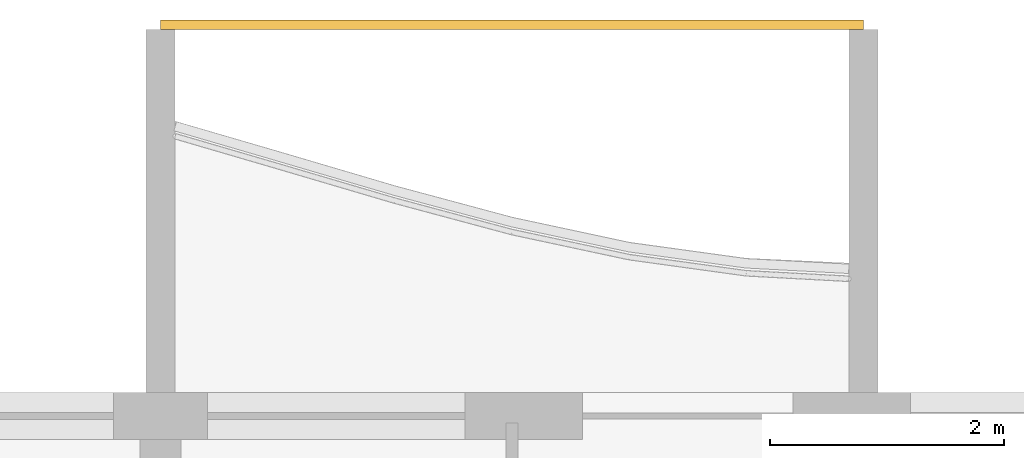
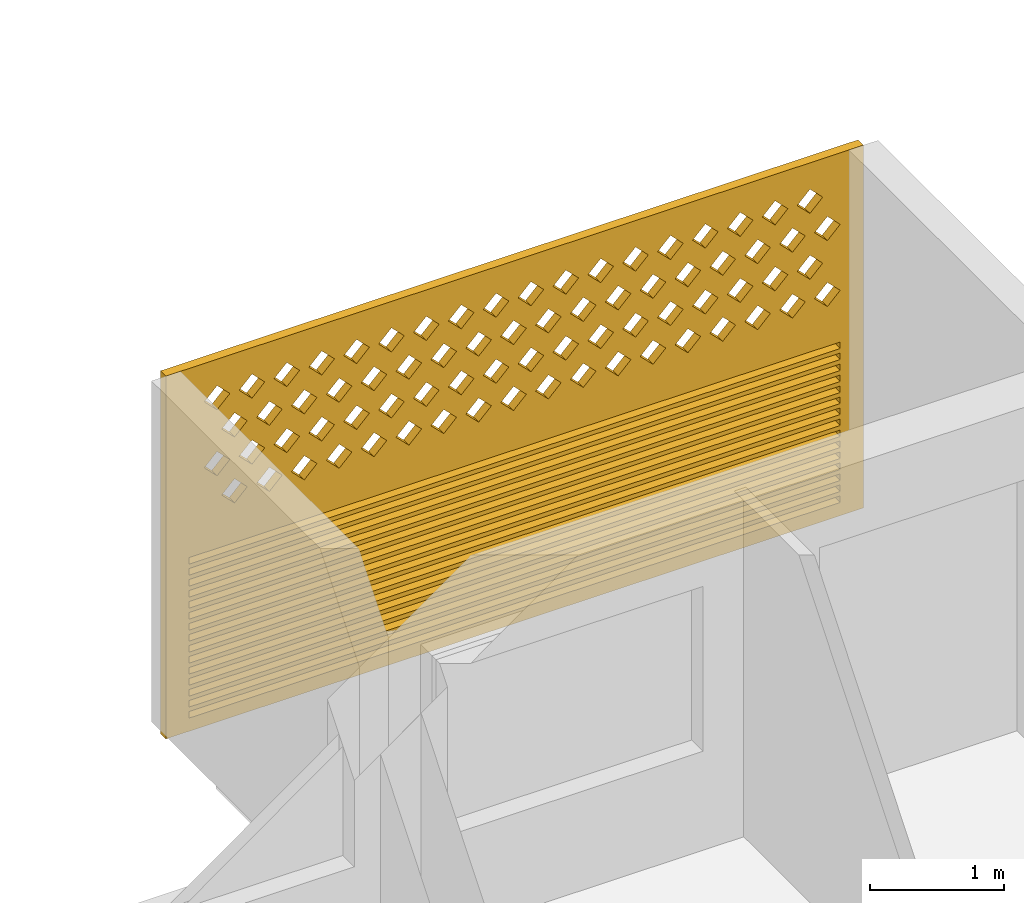
# One storey, part 29 of 31: 1 covering.
"""IFC4 building model written with IfcOpenShell, lengths in metres."""

from ifc_helpers import new_model, si_unit, direction, frame, origin, place, context, subcontext, project, spatial, polyline, outline, extrude, source, transform, mapped, material, material_profile, profile_set, type_object, element, save


model = new_model("IFC4")

# Units and contexts
model_context = context("Model", 3, precision=1e-05, world=origin(), true_north=direction((0.0, 1.0)))
body_context = subcontext(model_context, "Body", "Model", "MODEL_VIEW")
ifc_project = project(units=[si_unit("LENGTHUNIT", "METRE"), si_unit("AREAUNIT", "SQUARE_METRE"), si_unit("VOLUMEUNIT", "CUBIC_METRE"), si_unit("PLANEANGLEUNIT", "RADIAN"), si_unit("MASSUNIT", "GRAM", prefix="KILO")], contexts=[model_context])

# Site, building, storey
site_placement = place(None, origin())
site = spatial("IfcSite", under=ifc_project, at=site_placement, CompositionType="ELEMENT")
building_placement = place(site_placement, origin())
building = spatial("IfcBuilding", under=site, at=building_placement, Name="Poui Terraces", CompositionType="ELEMENT")
storey_placement = place(building_placement, frame((0.0, 0.0, 82.800048828125)))
storey = spatial("IfcBuildingStorey", under=building, at=storey_placement, Name="L22", CompositionType="ELEMENT", Elevation=82.800048828125)

# Covering
ifc_material = material(Name="Terracotta screen", Category="masonry")
ifc_material_profile = material_profile(ifc_material, outline(polyline([(-3.0, -1.64990234375), (3.0, -1.64990234375), (3.0, 1.64990234375), (-3.0, 1.64990234375), (-3.0, -1.64990234375)]), holes=[polyline([(-2.800048828125, 0.39990234375), (-2.68994140625, 0.2900390625), (-2.580078125, 0.39990234375), (-2.68994140625, 0.510009765625), (-2.800048828125, 0.39990234375)]), polyline([(-2.5, 0.39990234375), (-2.389892578125, 0.2900390625), (-2.280029296875, 0.39990234375), (-2.389892578125, 0.510009765625), (-2.5, 0.39990234375)]), polyline([(-2.199951171875, 0.39990234375), (-2.090087890625, 0.2900390625), (-1.97998046875, 0.39990234375), (-2.090087890625, 0.510009765625), (-2.199951171875, 0.39990234375)]), polyline([(-1.89990234375, 0.39990234375), (-1.7900390625, 0.2900390625), (-1.679931640625, 0.39990234375), (-1.7900390625, 0.510009765625), (-1.89990234375, 0.39990234375)]), polyline([(-1.60009765625, 0.39990234375), (-1.489990234375, 0.2900390625), (-1.3798828125, 0.39990234375), (-1.489990234375, 0.510009765625), (-1.60009765625, 0.39990234375)]), polyline([(-1.300048828125, 0.39990234375), (-1.18994140625, 0.2900390625), (-1.080078125, 0.39990234375), (-1.18994140625, 0.510009765625), (-1.300048828125, 0.39990234375)]), polyline([(-1.0, 0.39990234375), (-0.889892578125, 0.2900390625), (-0.780029296875, 0.39990234375), (-0.889892578125, 0.510009765625), (-1.0, 0.39990234375)]), polyline([(-0.699951171875, 0.39990234375), (-0.590087890625, 0.2900390625), (-0.47998046875, 0.39990234375), (-0.590087890625, 0.510009765625), (-0.699951171875, 0.39990234375)]), polyline([(-0.39990234375, 0.39990234375), (-0.2900390625, 0.2900390625), (-0.179931640625, 0.39990234375), (-0.2900390625, 0.510009765625), (-0.39990234375, 0.39990234375)]), polyline([(-0.10009765625, 0.39990234375), (0.010009765625, 0.2900390625), (0.1201171875, 0.39990234375), (0.010009765625, 0.510009765625), (-0.10009765625, 0.39990234375)]), polyline([(0.199951171875, 0.39990234375), (0.31005859375, 0.2900390625), (0.419921875, 0.39990234375), (0.31005859375, 0.510009765625), (0.199951171875, 0.39990234375)]), polyline([(0.5, 0.39990234375), (0.610107421875, 0.2900390625), (0.719970703125, 0.39990234375), (0.610107421875, 0.510009765625), (0.5, 0.39990234375)]), polyline([(0.800048828125, 0.39990234375), (0.909912109375, 0.2900390625), (1.02001953125, 0.39990234375), (0.909912109375, 0.510009765625), (0.800048828125, 0.39990234375)]), polyline([(1.10009765625, 0.39990234375), (1.2099609375, 0.2900390625), (1.320068359375, 0.39990234375), (1.2099609375, 0.510009765625), (1.10009765625, 0.39990234375)]), polyline([(1.39990234375, 0.39990234375), (1.510009765625, 0.2900390625), (1.6201171875, 0.39990234375), (1.510009765625, 0.510009765625), (1.39990234375, 0.39990234375)]), polyline([(1.699951171875, 0.39990234375), (1.81005859375, 0.2900390625), (1.919921875, 0.39990234375), (1.81005859375, 0.510009765625), (1.699951171875, 0.39990234375)]), polyline([(2.0, 0.39990234375), (2.110107421875, 0.2900390625), (2.219970703125, 0.39990234375), (2.110107421875, 0.510009765625), (2.0, 0.39990234375)]), polyline([(2.300048828125, 0.39990234375), (2.409912109375, 0.2900390625), (2.52001953125, 0.39990234375), (2.409912109375, 0.510009765625), (2.300048828125, 0.39990234375)]), polyline([(-2.64990234375, 0.699951171875), (-2.5400390625, 0.590087890625), (-2.429931640625, 0.699951171875), (-2.5400390625, 0.81005859375), (-2.64990234375, 0.699951171875)]), polyline([(-2.35009765625, 0.699951171875), (-2.239990234375, 0.590087890625), (-2.1298828125, 0.699951171875), (-2.239990234375, 0.81005859375), (-2.35009765625, 0.699951171875)]), polyline([(-2.050048828125, 0.699951171875), (-1.93994140625, 0.590087890625), (-1.830078125, 0.699951171875), (-1.93994140625, 0.81005859375), (-2.050048828125, 0.699951171875)]), polyline([(-1.75, 0.699951171875), (-1.639892578125, 0.590087890625), (-1.530029296875, 0.699951171875), (-1.639892578125, 0.81005859375), (-1.75, 0.699951171875)]), polyline([(-1.449951171875, 0.699951171875), (-1.340087890625, 0.590087890625), (-1.22998046875, 0.699951171875), (-1.340087890625, 0.81005859375), (-1.449951171875, 0.699951171875)]), polyline([(-1.14990234375, 0.699951171875), (-1.0400390625, 0.590087890625), (-0.929931640625, 0.699951171875), (-1.0400390625, 0.81005859375), (-1.14990234375, 0.699951171875)]), polyline([(-0.85009765625, 0.699951171875), (-0.739990234375, 0.590087890625), (-0.6298828125, 0.699951171875), (-0.739990234375, 0.81005859375), (-0.85009765625, 0.699951171875)]), polyline([(-0.550048828125, 0.699951171875), (-0.43994140625, 0.590087890625), (-0.330078125, 0.699951171875), (-0.43994140625, 0.81005859375), (-0.550048828125, 0.699951171875)]), polyline([(-0.25, 0.699951171875), (-0.139892578125, 0.590087890625), (-0.030029296875, 0.699951171875), (-0.139892578125, 0.81005859375), (-0.25, 0.699951171875)]), polyline([(0.050048828125, 0.699951171875), (0.159912109375, 0.590087890625), (0.27001953125, 0.699951171875), (0.159912109375, 0.81005859375), (0.050048828125, 0.699951171875)]), polyline([(0.35009765625, 0.699951171875), (0.4599609375, 0.590087890625), (0.570068359375, 0.699951171875), (0.4599609375, 0.81005859375), (0.35009765625, 0.699951171875)]), polyline([(0.64990234375, 0.699951171875), (0.760009765625, 0.590087890625), (0.8701171875, 0.699951171875), (0.760009765625, 0.81005859375), (0.64990234375, 0.699951171875)]), polyline([(0.949951171875, 0.699951171875), (1.06005859375, 0.590087890625), (1.169921875, 0.699951171875), (1.06005859375, 0.81005859375), (0.949951171875, 0.699951171875)]), polyline([(1.25, 0.699951171875), (1.360107421875, 0.590087890625), (1.469970703125, 0.699951171875), (1.360107421875, 0.81005859375), (1.25, 0.699951171875)]), polyline([(1.550048828125, 0.699951171875), (1.659912109375, 0.590087890625), (1.77001953125, 0.699951171875), (1.659912109375, 0.81005859375), (1.550048828125, 0.699951171875)]), polyline([(1.85009765625, 0.699951171875), (1.9599609375, 0.590087890625), (2.070068359375, 0.699951171875), (1.9599609375, 0.81005859375), (1.85009765625, 0.699951171875)]), polyline([(2.14990234375, 0.699951171875), (2.260009765625, 0.590087890625), (2.3701171875, 0.699951171875), (2.260009765625, 0.81005859375), (2.14990234375, 0.699951171875)]), polyline([(2.449951171875, 0.699951171875), (2.56005859375, 0.590087890625), (2.669921875, 0.699951171875), (2.56005859375, 0.81005859375), (2.449951171875, 0.699951171875)]), polyline([(-2.800048828125, 1.0), (-2.68994140625, 0.889892578125), (-2.580078125, 1.0), (-2.68994140625, 1.110107421875), (-2.800048828125, 1.0)]), polyline([(-2.5, 1.0), (-2.389892578125, 0.889892578125), (-2.280029296875, 1.0), (-2.389892578125, 1.110107421875), (-2.5, 1.0)]), polyline([(-2.199951171875, 1.0), (-2.090087890625, 0.889892578125), (-1.97998046875, 1.0), (-2.090087890625, 1.110107421875), (-2.199951171875, 1.0)]), polyline([(-1.89990234375, 1.0), (-1.7900390625, 0.889892578125), (-1.679931640625, 1.0), (-1.7900390625, 1.110107421875), (-1.89990234375, 1.0)]), polyline([(-1.60009765625, 1.0), (-1.489990234375, 0.889892578125), (-1.3798828125, 1.0), (-1.489990234375, 1.110107421875), (-1.60009765625, 1.0)]), polyline([(-1.300048828125, 1.0), (-1.18994140625, 0.889892578125), (-1.080078125, 1.0), (-1.18994140625, 1.110107421875), (-1.300048828125, 1.0)]), polyline([(-1.0, 1.0), (-0.889892578125, 0.889892578125), (-0.780029296875, 1.0), (-0.889892578125, 1.110107421875), (-1.0, 1.0)]), polyline([(-0.699951171875, 1.0), (-0.590087890625, 0.889892578125), (-0.47998046875, 1.0), (-0.590087890625, 1.110107421875), (-0.699951171875, 1.0)]), polyline([(-0.39990234375, 1.0), (-0.2900390625, 0.889892578125), (-0.179931640625, 1.0), (-0.2900390625, 1.110107421875), (-0.39990234375, 1.0)]), polyline([(-0.10009765625, 1.0), (0.010009765625, 0.889892578125), (0.1201171875, 1.0), (0.010009765625, 1.110107421875), (-0.10009765625, 1.0)]), polyline([(0.199951171875, 1.0), (0.31005859375, 0.889892578125), (0.419921875, 1.0), (0.31005859375, 1.110107421875), (0.199951171875, 1.0)]), polyline([(0.5, 1.0), (0.610107421875, 0.889892578125), (0.719970703125, 1.0), (0.610107421875, 1.110107421875), (0.5, 1.0)]), polyline([(0.800048828125, 1.0), (0.909912109375, 0.889892578125), (1.02001953125, 1.0), (0.909912109375, 1.110107421875), (0.800048828125, 1.0)]), polyline([(1.10009765625, 1.0), (1.2099609375, 0.889892578125), (1.320068359375, 1.0), (1.2099609375, 1.110107421875), (1.10009765625, 1.0)]), polyline([(1.39990234375, 1.0), (1.510009765625, 0.889892578125), (1.6201171875, 1.0), (1.510009765625, 1.110107421875), (1.39990234375, 1.0)]), polyline([(1.699951171875, 1.0), (1.81005859375, 0.889892578125), (1.919921875, 1.0), (1.81005859375, 1.110107421875), (1.699951171875, 1.0)]), polyline([(2.0, 1.0), (2.110107421875, 0.889892578125), (2.219970703125, 1.0), (2.110107421875, 1.110107421875), (2.0, 1.0)]), polyline([(2.300048828125, 1.0), (2.409912109375, 0.889892578125), (2.52001953125, 1.0), (2.409912109375, 1.110107421875), (2.300048828125, 1.0)]), polyline([(-2.64990234375, 1.300048828125), (-2.5400390625, 1.18994140625), (-2.429931640625, 1.300048828125), (-2.5400390625, 1.409912109375), (-2.64990234375, 1.300048828125)]), polyline([(-2.35009765625, 1.300048828125), (-2.239990234375, 1.18994140625), (-2.1298828125, 1.300048828125), (-2.239990234375, 1.409912109375), (-2.35009765625, 1.300048828125)]), polyline([(-2.050048828125, 1.300048828125), (-1.93994140625, 1.18994140625), (-1.830078125, 1.300048828125), (-1.93994140625, 1.409912109375), (-2.050048828125, 1.300048828125)]), polyline([(-1.75, 1.300048828125), (-1.639892578125, 1.18994140625), (-1.530029296875, 1.300048828125), (-1.639892578125, 1.409912109375), (-1.75, 1.300048828125)]), polyline([(-1.449951171875, 1.300048828125), (-1.340087890625, 1.18994140625), (-1.22998046875, 1.300048828125), (-1.340087890625, 1.409912109375), (-1.449951171875, 1.300048828125)]), polyline([(-1.14990234375, 1.300048828125), (-1.0400390625, 1.18994140625), (-0.929931640625, 1.300048828125), (-1.0400390625, 1.409912109375), (-1.14990234375, 1.300048828125)]), polyline([(-0.85009765625, 1.300048828125), (-0.739990234375, 1.18994140625), (-0.6298828125, 1.300048828125), (-0.739990234375, 1.409912109375), (-0.85009765625, 1.300048828125)]), polyline([(-0.550048828125, 1.300048828125), (-0.43994140625, 1.18994140625), (-0.330078125, 1.300048828125), (-0.43994140625, 1.409912109375), (-0.550048828125, 1.300048828125)]), polyline([(-0.25, 1.300048828125), (-0.139892578125, 1.18994140625), (-0.030029296875, 1.300048828125), (-0.139892578125, 1.409912109375), (-0.25, 1.300048828125)]), polyline([(0.050048828125, 1.300048828125), (0.159912109375, 1.18994140625), (0.27001953125, 1.300048828125), (0.159912109375, 1.409912109375), (0.050048828125, 1.300048828125)]), polyline([(0.35009765625, 1.300048828125), (0.4599609375, 1.18994140625), (0.570068359375, 1.300048828125), (0.4599609375, 1.409912109375), (0.35009765625, 1.300048828125)]), polyline([(0.64990234375, 1.300048828125), (0.760009765625, 1.18994140625), (0.8701171875, 1.300048828125), (0.760009765625, 1.409912109375), (0.64990234375, 1.300048828125)]), polyline([(0.949951171875, 1.300048828125), (1.06005859375, 1.18994140625), (1.169921875, 1.300048828125), (1.06005859375, 1.409912109375), (0.949951171875, 1.300048828125)]), polyline([(1.25, 1.300048828125), (1.360107421875, 1.18994140625), (1.469970703125, 1.300048828125), (1.360107421875, 1.409912109375), (1.25, 1.300048828125)]), polyline([(1.550048828125, 1.300048828125), (1.659912109375, 1.18994140625), (1.77001953125, 1.300048828125), (1.659912109375, 1.409912109375), (1.550048828125, 1.300048828125)]), polyline([(1.85009765625, 1.300048828125), (1.9599609375, 1.18994140625), (2.070068359375, 1.300048828125), (1.9599609375, 1.409912109375), (1.85009765625, 1.300048828125)]), polyline([(2.14990234375, 1.300048828125), (2.260009765625, 1.18994140625), (2.3701171875, 1.300048828125), (2.260009765625, 1.409912109375), (2.14990234375, 1.300048828125)]), polyline([(2.449951171875, 1.300048828125), (2.56005859375, 1.18994140625), (2.669921875, 1.300048828125), (2.56005859375, 1.409912109375), (2.449951171875, 1.300048828125)]), polyline([(-2.800048828125, -1.530029296875), (2.800048828125, -1.530029296875), (2.800048828125, -1.469970703125), (-2.800048828125, -1.469970703125), (-2.800048828125, -1.530029296875)]), polyline([(-2.800048828125, -1.429931640625), (2.800048828125, -1.429931640625), (2.800048828125, -1.3701171875), (-2.800048828125, -1.3701171875), (-2.800048828125, -1.429931640625)]), polyline([(-2.800048828125, -1.330078125), (2.800048828125, -1.330078125), (2.800048828125, -1.27001953125), (-2.800048828125, -1.27001953125), (-2.800048828125, -1.330078125)]), polyline([(-2.800048828125, -1.22998046875), (2.800048828125, -1.22998046875), (2.800048828125, -1.169921875), (-2.800048828125, -1.169921875), (-2.800048828125, -1.22998046875)]), polyline([(-2.800048828125, -1.1298828125), (2.800048828125, -1.1298828125), (2.800048828125, -1.070068359375), (-2.800048828125, -1.070068359375), (-2.800048828125, -1.1298828125)]), polyline([(-2.800048828125, -1.030029296875), (2.800048828125, -1.030029296875), (2.800048828125, -0.969970703125), (-2.800048828125, -0.969970703125), (-2.800048828125, -1.030029296875)]), polyline([(-2.800048828125, -0.929931640625), (2.800048828125, -0.929931640625), (2.800048828125, -0.8701171875), (-2.800048828125, -0.8701171875), (-2.800048828125, -0.929931640625)]), polyline([(-2.800048828125, -0.830078125), (2.800048828125, -0.830078125), (2.800048828125, -0.77001953125), (-2.800048828125, -0.77001953125), (-2.800048828125, -0.830078125)]), polyline([(-2.800048828125, -0.72998046875), (2.800048828125, -0.72998046875), (2.800048828125, -0.669921875), (-2.800048828125, -0.669921875), (-2.800048828125, -0.72998046875)]), polyline([(-2.800048828125, -0.6298828125), (2.800048828125, -0.6298828125), (2.800048828125, -0.570068359375), (-2.800048828125, -0.570068359375), (-2.800048828125, -0.6298828125)]), polyline([(-2.800048828125, -0.530029296875), (2.800048828125, -0.530029296875), (2.800048828125, -0.469970703125), (-2.800048828125, -0.469970703125), (-2.800048828125, -0.530029296875)]), polyline([(-2.800048828125, -0.429931640625), (2.800048828125, -0.429931640625), (2.800048828125, -0.3701171875), (-2.800048828125, -0.3701171875), (-2.800048828125, -0.429931640625)]), polyline([(-2.800048828125, -0.330078125), (2.800048828125, -0.330078125), (2.800048828125, -0.27001953125), (-2.800048828125, -0.27001953125), (-2.800048828125, -0.330078125)]), polyline([(-2.800048828125, -0.22998046875), (2.800048828125, -0.22998046875), (2.800048828125, -0.169921875), (-2.800048828125, -0.169921875), (-2.800048828125, -0.22998046875)]), polyline([(-2.800048828125, -0.1298828125), (2.800048828125, -0.1298828125), (2.800048828125, -0.070068359375), (-2.800048828125, -0.070068359375), (-2.800048828125, -0.1298828125)])]), Name="TERRACOTTA SCREEN AND JALOUSIE LOUVRE 6000X3300")
ifc_profile_set = profile_set([ifc_material_profile], Name="Terracotta screen")
covering_type = type_object("IfcCoveringType", Name="TERRACOTTA SCREEN AND JALOUSIE LOUVRE 6000X3300", PredefinedType="CLADDING", material=ifc_profile_set)
shared_shape = source(origin(), body_context, "Body", "SweptSolid", [
    extrude(outline(polyline([(-3.0, -1.64990234375), (3.0, -1.64990234375), (3.0, 1.64990234375), (-3.0, 1.64990234375), (-3.0, -1.64990234375)]), holes=[polyline([(-2.800048828125, 0.39990234375), (-2.68994140625, 0.2900390625), (-2.580078125, 0.39990234375), (-2.68994140625, 0.510009765625), (-2.800048828125, 0.39990234375)]), polyline([(-2.5, 0.39990234375), (-2.389892578125, 0.2900390625), (-2.280029296875, 0.39990234375), (-2.389892578125, 0.510009765625), (-2.5, 0.39990234375)]), polyline([(-2.199951171875, 0.39990234375), (-2.090087890625, 0.2900390625), (-1.97998046875, 0.39990234375), (-2.090087890625, 0.510009765625), (-2.199951171875, 0.39990234375)]), polyline([(-1.89990234375, 0.39990234375), (-1.7900390625, 0.2900390625), (-1.679931640625, 0.39990234375), (-1.7900390625, 0.510009765625), (-1.89990234375, 0.39990234375)]), polyline([(-1.60009765625, 0.39990234375), (-1.489990234375, 0.2900390625), (-1.3798828125, 0.39990234375), (-1.489990234375, 0.510009765625), (-1.60009765625, 0.39990234375)]), polyline([(-1.300048828125, 0.39990234375), (-1.18994140625, 0.2900390625), (-1.080078125, 0.39990234375), (-1.18994140625, 0.510009765625), (-1.300048828125, 0.39990234375)]), polyline([(-1.0, 0.39990234375), (-0.889892578125, 0.2900390625), (-0.780029296875, 0.39990234375), (-0.889892578125, 0.510009765625), (-1.0, 0.39990234375)]), polyline([(-0.699951171875, 0.39990234375), (-0.590087890625, 0.2900390625), (-0.47998046875, 0.39990234375), (-0.590087890625, 0.510009765625), (-0.699951171875, 0.39990234375)]), polyline([(-0.39990234375, 0.39990234375), (-0.2900390625, 0.2900390625), (-0.179931640625, 0.39990234375), (-0.2900390625, 0.510009765625), (-0.39990234375, 0.39990234375)]), polyline([(-0.10009765625, 0.39990234375), (0.010009765625, 0.2900390625), (0.1201171875, 0.39990234375), (0.010009765625, 0.510009765625), (-0.10009765625, 0.39990234375)]), polyline([(0.199951171875, 0.39990234375), (0.31005859375, 0.2900390625), (0.419921875, 0.39990234375), (0.31005859375, 0.510009765625), (0.199951171875, 0.39990234375)]), polyline([(0.5, 0.39990234375), (0.610107421875, 0.2900390625), (0.719970703125, 0.39990234375), (0.610107421875, 0.510009765625), (0.5, 0.39990234375)]), polyline([(0.800048828125, 0.39990234375), (0.909912109375, 0.2900390625), (1.02001953125, 0.39990234375), (0.909912109375, 0.510009765625), (0.800048828125, 0.39990234375)]), polyline([(1.10009765625, 0.39990234375), (1.2099609375, 0.2900390625), (1.320068359375, 0.39990234375), (1.2099609375, 0.510009765625), (1.10009765625, 0.39990234375)]), polyline([(1.39990234375, 0.39990234375), (1.510009765625, 0.2900390625), (1.6201171875, 0.39990234375), (1.510009765625, 0.510009765625), (1.39990234375, 0.39990234375)]), polyline([(1.699951171875, 0.39990234375), (1.81005859375, 0.2900390625), (1.919921875, 0.39990234375), (1.81005859375, 0.510009765625), (1.699951171875, 0.39990234375)]), polyline([(2.0, 0.39990234375), (2.110107421875, 0.2900390625), (2.219970703125, 0.39990234375), (2.110107421875, 0.510009765625), (2.0, 0.39990234375)]), polyline([(2.300048828125, 0.39990234375), (2.409912109375, 0.2900390625), (2.52001953125, 0.39990234375), (2.409912109375, 0.510009765625), (2.300048828125, 0.39990234375)]), polyline([(-2.64990234375, 0.699951171875), (-2.5400390625, 0.590087890625), (-2.429931640625, 0.699951171875), (-2.5400390625, 0.81005859375), (-2.64990234375, 0.699951171875)]), polyline([(-2.35009765625, 0.699951171875), (-2.239990234375, 0.590087890625), (-2.1298828125, 0.699951171875), (-2.239990234375, 0.81005859375), (-2.35009765625, 0.699951171875)]), polyline([(-2.050048828125, 0.699951171875), (-1.93994140625, 0.590087890625), (-1.830078125, 0.699951171875), (-1.93994140625, 0.81005859375), (-2.050048828125, 0.699951171875)]), polyline([(-1.75, 0.699951171875), (-1.639892578125, 0.590087890625), (-1.530029296875, 0.699951171875), (-1.639892578125, 0.81005859375), (-1.75, 0.699951171875)]), polyline([(-1.449951171875, 0.699951171875), (-1.340087890625, 0.590087890625), (-1.22998046875, 0.699951171875), (-1.340087890625, 0.81005859375), (-1.449951171875, 0.699951171875)]), polyline([(-1.14990234375, 0.699951171875), (-1.0400390625, 0.590087890625), (-0.929931640625, 0.699951171875), (-1.0400390625, 0.81005859375), (-1.14990234375, 0.699951171875)]), polyline([(-0.85009765625, 0.699951171875), (-0.739990234375, 0.590087890625), (-0.6298828125, 0.699951171875), (-0.739990234375, 0.81005859375), (-0.85009765625, 0.699951171875)]), polyline([(-0.550048828125, 0.699951171875), (-0.43994140625, 0.590087890625), (-0.330078125, 0.699951171875), (-0.43994140625, 0.81005859375), (-0.550048828125, 0.699951171875)]), polyline([(-0.25, 0.699951171875), (-0.139892578125, 0.590087890625), (-0.030029296875, 0.699951171875), (-0.139892578125, 0.81005859375), (-0.25, 0.699951171875)]), polyline([(0.050048828125, 0.699951171875), (0.159912109375, 0.590087890625), (0.27001953125, 0.699951171875), (0.159912109375, 0.81005859375), (0.050048828125, 0.699951171875)]), polyline([(0.35009765625, 0.699951171875), (0.4599609375, 0.590087890625), (0.570068359375, 0.699951171875), (0.4599609375, 0.81005859375), (0.35009765625, 0.699951171875)]), polyline([(0.64990234375, 0.699951171875), (0.760009765625, 0.590087890625), (0.8701171875, 0.699951171875), (0.760009765625, 0.81005859375), (0.64990234375, 0.699951171875)]), polyline([(0.949951171875, 0.699951171875), (1.06005859375, 0.590087890625), (1.169921875, 0.699951171875), (1.06005859375, 0.81005859375), (0.949951171875, 0.699951171875)]), polyline([(1.25, 0.699951171875), (1.360107421875, 0.590087890625), (1.469970703125, 0.699951171875), (1.360107421875, 0.81005859375), (1.25, 0.699951171875)]), polyline([(1.550048828125, 0.699951171875), (1.659912109375, 0.590087890625), (1.77001953125, 0.699951171875), (1.659912109375, 0.81005859375), (1.550048828125, 0.699951171875)]), polyline([(1.85009765625, 0.699951171875), (1.9599609375, 0.590087890625), (2.070068359375, 0.699951171875), (1.9599609375, 0.81005859375), (1.85009765625, 0.699951171875)]), polyline([(2.14990234375, 0.699951171875), (2.260009765625, 0.590087890625), (2.3701171875, 0.699951171875), (2.260009765625, 0.81005859375), (2.14990234375, 0.699951171875)]), polyline([(2.449951171875, 0.699951171875), (2.56005859375, 0.590087890625), (2.669921875, 0.699951171875), (2.56005859375, 0.81005859375), (2.449951171875, 0.699951171875)]), polyline([(-2.800048828125, 1.0), (-2.68994140625, 0.889892578125), (-2.580078125, 1.0), (-2.68994140625, 1.110107421875), (-2.800048828125, 1.0)]), polyline([(-2.5, 1.0), (-2.389892578125, 0.889892578125), (-2.280029296875, 1.0), (-2.389892578125, 1.110107421875), (-2.5, 1.0)]), polyline([(-2.199951171875, 1.0), (-2.090087890625, 0.889892578125), (-1.97998046875, 1.0), (-2.090087890625, 1.110107421875), (-2.199951171875, 1.0)]), polyline([(-1.89990234375, 1.0), (-1.7900390625, 0.889892578125), (-1.679931640625, 1.0), (-1.7900390625, 1.110107421875), (-1.89990234375, 1.0)]), polyline([(-1.60009765625, 1.0), (-1.489990234375, 0.889892578125), (-1.3798828125, 1.0), (-1.489990234375, 1.110107421875), (-1.60009765625, 1.0)]), polyline([(-1.300048828125, 1.0), (-1.18994140625, 0.889892578125), (-1.080078125, 1.0), (-1.18994140625, 1.110107421875), (-1.300048828125, 1.0)]), polyline([(-1.0, 1.0), (-0.889892578125, 0.889892578125), (-0.780029296875, 1.0), (-0.889892578125, 1.110107421875), (-1.0, 1.0)]), polyline([(-0.699951171875, 1.0), (-0.590087890625, 0.889892578125), (-0.47998046875, 1.0), (-0.590087890625, 1.110107421875), (-0.699951171875, 1.0)]), polyline([(-0.39990234375, 1.0), (-0.2900390625, 0.889892578125), (-0.179931640625, 1.0), (-0.2900390625, 1.110107421875), (-0.39990234375, 1.0)]), polyline([(-0.10009765625, 1.0), (0.010009765625, 0.889892578125), (0.1201171875, 1.0), (0.010009765625, 1.110107421875), (-0.10009765625, 1.0)]), polyline([(0.199951171875, 1.0), (0.31005859375, 0.889892578125), (0.419921875, 1.0), (0.31005859375, 1.110107421875), (0.199951171875, 1.0)]), polyline([(0.5, 1.0), (0.610107421875, 0.889892578125), (0.719970703125, 1.0), (0.610107421875, 1.110107421875), (0.5, 1.0)]), polyline([(0.800048828125, 1.0), (0.909912109375, 0.889892578125), (1.02001953125, 1.0), (0.909912109375, 1.110107421875), (0.800048828125, 1.0)]), polyline([(1.10009765625, 1.0), (1.2099609375, 0.889892578125), (1.320068359375, 1.0), (1.2099609375, 1.110107421875), (1.10009765625, 1.0)]), polyline([(1.39990234375, 1.0), (1.510009765625, 0.889892578125), (1.6201171875, 1.0), (1.510009765625, 1.110107421875), (1.39990234375, 1.0)]), polyline([(1.699951171875, 1.0), (1.81005859375, 0.889892578125), (1.919921875, 1.0), (1.81005859375, 1.110107421875), (1.699951171875, 1.0)]), polyline([(2.0, 1.0), (2.110107421875, 0.889892578125), (2.219970703125, 1.0), (2.110107421875, 1.110107421875), (2.0, 1.0)]), polyline([(2.300048828125, 1.0), (2.409912109375, 0.889892578125), (2.52001953125, 1.0), (2.409912109375, 1.110107421875), (2.300048828125, 1.0)]), polyline([(-2.64990234375, 1.300048828125), (-2.5400390625, 1.18994140625), (-2.429931640625, 1.300048828125), (-2.5400390625, 1.409912109375), (-2.64990234375, 1.300048828125)]), polyline([(-2.35009765625, 1.300048828125), (-2.239990234375, 1.18994140625), (-2.1298828125, 1.300048828125), (-2.239990234375, 1.409912109375), (-2.35009765625, 1.300048828125)]), polyline([(-2.050048828125, 1.300048828125), (-1.93994140625, 1.18994140625), (-1.830078125, 1.300048828125), (-1.93994140625, 1.409912109375), (-2.050048828125, 1.300048828125)]), polyline([(-1.75, 1.300048828125), (-1.639892578125, 1.18994140625), (-1.530029296875, 1.300048828125), (-1.639892578125, 1.409912109375), (-1.75, 1.300048828125)]), polyline([(-1.449951171875, 1.300048828125), (-1.340087890625, 1.18994140625), (-1.22998046875, 1.300048828125), (-1.340087890625, 1.409912109375), (-1.449951171875, 1.300048828125)]), polyline([(-1.14990234375, 1.300048828125), (-1.0400390625, 1.18994140625), (-0.929931640625, 1.300048828125), (-1.0400390625, 1.409912109375), (-1.14990234375, 1.300048828125)]), polyline([(-0.85009765625, 1.300048828125), (-0.739990234375, 1.18994140625), (-0.6298828125, 1.300048828125), (-0.739990234375, 1.409912109375), (-0.85009765625, 1.300048828125)]), polyline([(-0.550048828125, 1.300048828125), (-0.43994140625, 1.18994140625), (-0.330078125, 1.300048828125), (-0.43994140625, 1.409912109375), (-0.550048828125, 1.300048828125)]), polyline([(-0.25, 1.300048828125), (-0.139892578125, 1.18994140625), (-0.030029296875, 1.300048828125), (-0.139892578125, 1.409912109375), (-0.25, 1.300048828125)]), polyline([(0.050048828125, 1.300048828125), (0.159912109375, 1.18994140625), (0.27001953125, 1.300048828125), (0.159912109375, 1.409912109375), (0.050048828125, 1.300048828125)]), polyline([(0.35009765625, 1.300048828125), (0.4599609375, 1.18994140625), (0.570068359375, 1.300048828125), (0.4599609375, 1.409912109375), (0.35009765625, 1.300048828125)]), polyline([(0.64990234375, 1.300048828125), (0.760009765625, 1.18994140625), (0.8701171875, 1.300048828125), (0.760009765625, 1.409912109375), (0.64990234375, 1.300048828125)]), polyline([(0.949951171875, 1.300048828125), (1.06005859375, 1.18994140625), (1.169921875, 1.300048828125), (1.06005859375, 1.409912109375), (0.949951171875, 1.300048828125)]), polyline([(1.25, 1.300048828125), (1.360107421875, 1.18994140625), (1.469970703125, 1.300048828125), (1.360107421875, 1.409912109375), (1.25, 1.300048828125)]), polyline([(1.550048828125, 1.300048828125), (1.659912109375, 1.18994140625), (1.77001953125, 1.300048828125), (1.659912109375, 1.409912109375), (1.550048828125, 1.300048828125)]), polyline([(1.85009765625, 1.300048828125), (1.9599609375, 1.18994140625), (2.070068359375, 1.300048828125), (1.9599609375, 1.409912109375), (1.85009765625, 1.300048828125)]), polyline([(2.14990234375, 1.300048828125), (2.260009765625, 1.18994140625), (2.3701171875, 1.300048828125), (2.260009765625, 1.409912109375), (2.14990234375, 1.300048828125)]), polyline([(2.449951171875, 1.300048828125), (2.56005859375, 1.18994140625), (2.669921875, 1.300048828125), (2.56005859375, 1.409912109375), (2.449951171875, 1.300048828125)]), polyline([(-2.800048828125, -1.530029296875), (2.800048828125, -1.530029296875), (2.800048828125, -1.469970703125), (-2.800048828125, -1.469970703125), (-2.800048828125, -1.530029296875)]), polyline([(-2.800048828125, -1.429931640625), (2.800048828125, -1.429931640625), (2.800048828125, -1.3701171875), (-2.800048828125, -1.3701171875), (-2.800048828125, -1.429931640625)]), polyline([(-2.800048828125, -1.330078125), (2.800048828125, -1.330078125), (2.800048828125, -1.27001953125), (-2.800048828125, -1.27001953125), (-2.800048828125, -1.330078125)]), polyline([(-2.800048828125, -1.22998046875), (2.800048828125, -1.22998046875), (2.800048828125, -1.169921875), (-2.800048828125, -1.169921875), (-2.800048828125, -1.22998046875)]), polyline([(-2.800048828125, -1.1298828125), (2.800048828125, -1.1298828125), (2.800048828125, -1.070068359375), (-2.800048828125, -1.070068359375), (-2.800048828125, -1.1298828125)]), polyline([(-2.800048828125, -1.030029296875), (2.800048828125, -1.030029296875), (2.800048828125, -0.969970703125), (-2.800048828125, -0.969970703125), (-2.800048828125, -1.030029296875)]), polyline([(-2.800048828125, -0.929931640625), (2.800048828125, -0.929931640625), (2.800048828125, -0.8701171875), (-2.800048828125, -0.8701171875), (-2.800048828125, -0.929931640625)]), polyline([(-2.800048828125, -0.830078125), (2.800048828125, -0.830078125), (2.800048828125, -0.77001953125), (-2.800048828125, -0.77001953125), (-2.800048828125, -0.830078125)]), polyline([(-2.800048828125, -0.72998046875), (2.800048828125, -0.72998046875), (2.800048828125, -0.669921875), (-2.800048828125, -0.669921875), (-2.800048828125, -0.72998046875)]), polyline([(-2.800048828125, -0.6298828125), (2.800048828125, -0.6298828125), (2.800048828125, -0.570068359375), (-2.800048828125, -0.570068359375), (-2.800048828125, -0.6298828125)]), polyline([(-2.800048828125, -0.530029296875), (2.800048828125, -0.530029296875), (2.800048828125, -0.469970703125), (-2.800048828125, -0.469970703125), (-2.800048828125, -0.530029296875)]), polyline([(-2.800048828125, -0.429931640625), (2.800048828125, -0.429931640625), (2.800048828125, -0.3701171875), (-2.800048828125, -0.3701171875), (-2.800048828125, -0.429931640625)]), polyline([(-2.800048828125, -0.330078125), (2.800048828125, -0.330078125), (2.800048828125, -0.27001953125), (-2.800048828125, -0.27001953125), (-2.800048828125, -0.330078125)]), polyline([(-2.800048828125, -0.22998046875), (2.800048828125, -0.22998046875), (2.800048828125, -0.169921875), (-2.800048828125, -0.169921875), (-2.800048828125, -0.22998046875)]), polyline([(-2.800048828125, -0.1298828125), (2.800048828125, -0.1298828125), (2.800048828125, -0.070068359375), (-2.800048828125, -0.070068359375), (-2.800048828125, -0.1298828125)])]), origin(), (0.0, 0.0, 1.0), 0.080078125),
])
covering_placement = place(storey_placement, frame((75.0, 46.89990234375, 1.449951171875), z_axis=(0.0, 1.0, 0.0), x_axis=(-1.0, 0.0, 0.0)))
element("IfcCovering", 1, at=covering_placement, inside=storey, type_object=covering_type, Name="SOLAR SCREEN AND JALOUSIE LOUVRE", PredefinedType="CLADDING", context=body_context, shape_type="MappedRepresentation", body=[
    mapped(shared_shape, transform((0.0, 0.0, 0.0))),
])

save(model, "model.ifc")
